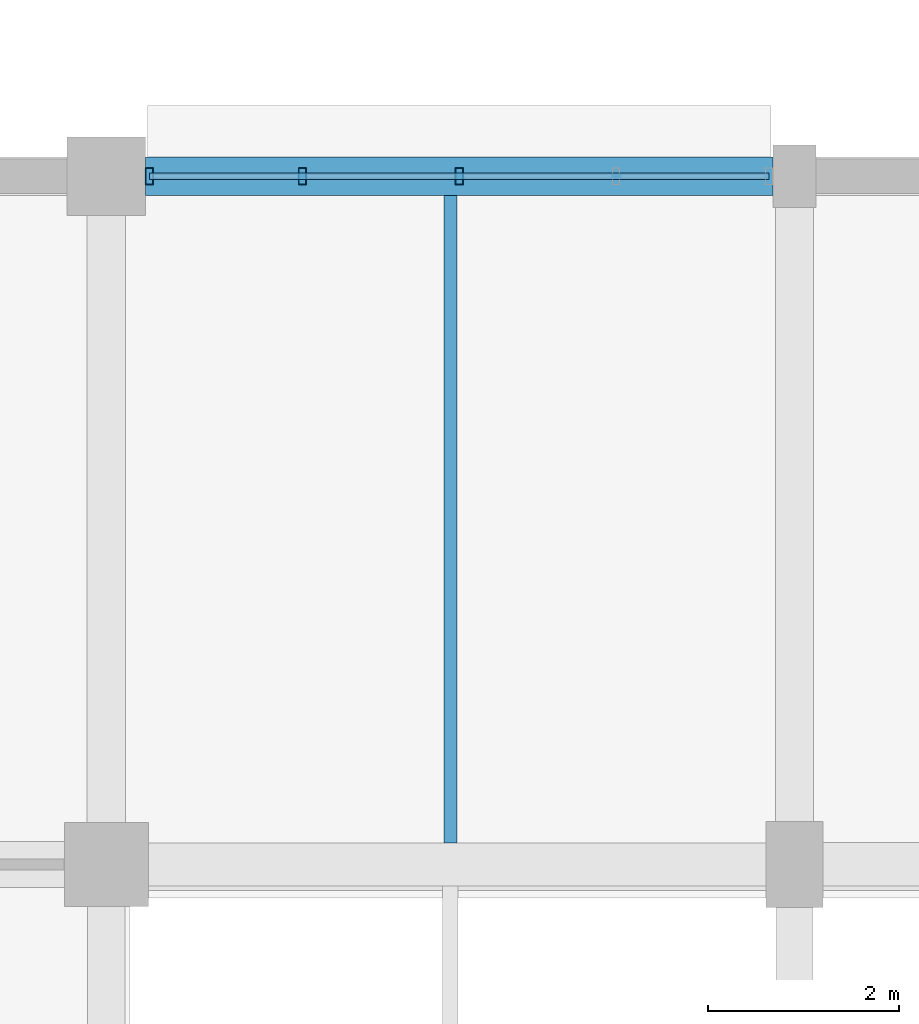
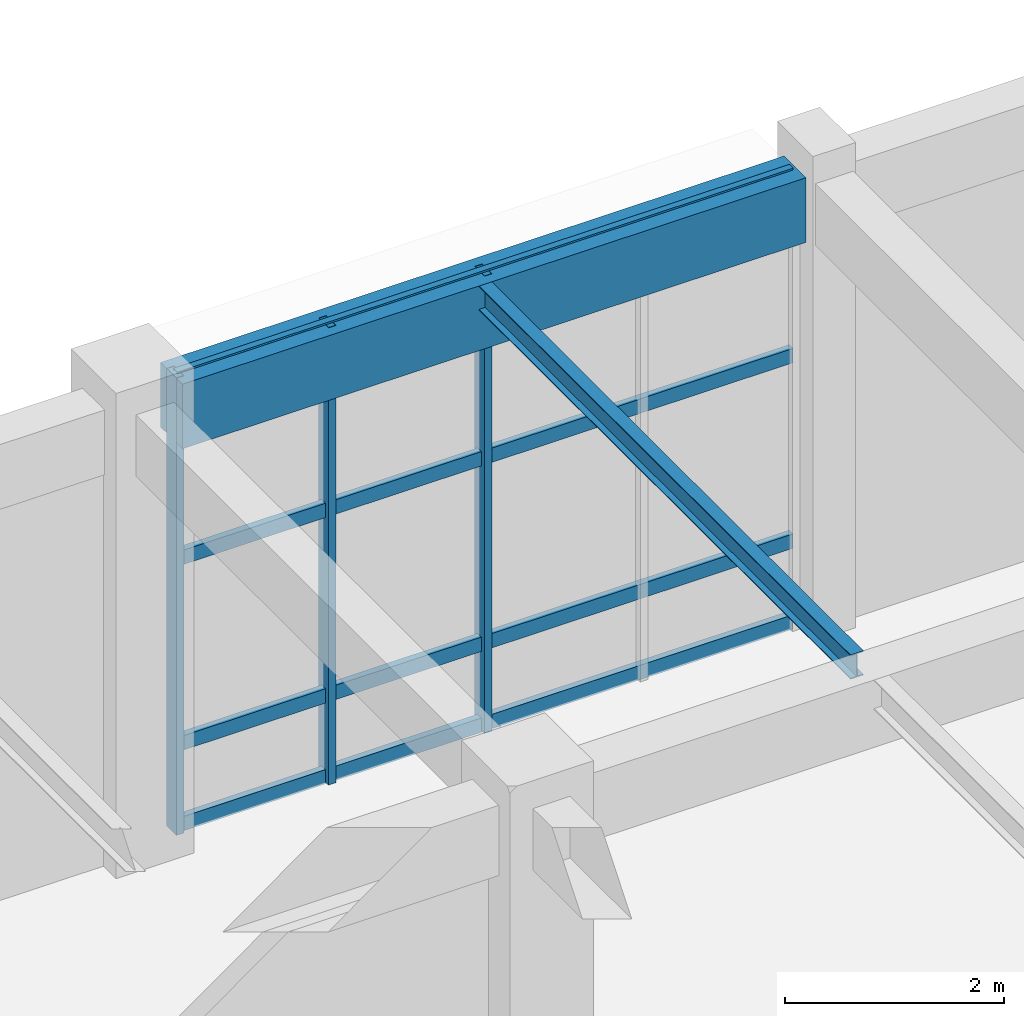
# One storey, part 108 of 160: 7 members, 2 beams, 1 element without a shape of its own.
"""IFC4 building model written with IfcOpenShell, lengths in metres."""

from ifc_helpers import new_model, si_unit, direction, frame, origin, origin_2d, place, context, subcontext, project, spatial, rectangle, hollow_rectangle, i_section, extrude, material, material_profile, profile_set, type_object, element, aggregate, save


model = new_model("IFC4")

# Units and contexts
model_context = context("Model", 3, precision=1e-05, world=origin(), true_north=direction((0.0, 1.0)))
body_context = subcontext(model_context, "Body", "Model", "MODEL_VIEW")
ifc_project = project(units=[si_unit("LENGTHUNIT", "METRE"), si_unit("AREAUNIT", "SQUARE_METRE"), si_unit("VOLUMEUNIT", "CUBIC_METRE"), si_unit("PLANEANGLEUNIT", "RADIAN"), si_unit("MASSUNIT", "GRAM", prefix="KILO")], contexts=[model_context])

# Site, building, storey
site_placement = place(None, origin())
site = spatial("IfcSite", under=ifc_project, at=site_placement, CompositionType="ELEMENT")
building_placement = place(site_placement, origin())
building = spatial("IfcBuilding", under=site, at=building_placement, Name="Thalmaran Polytechnic", CompositionType="ELEMENT")
storey_placement = place(building_placement, origin())
storey = spatial("IfcBuildingStorey", under=building, at=storey_placement, Name="L00", CompositionType="ELEMENT", Elevation=0.0)

# Beams
ifc_material_1 = material(Name="Steel S355", Category="steel")
ifc_material_profile_1 = material_profile(ifc_material_1, i_section(OverallWidth=0.135009765625, OverallDepth=0.27001953125, WebThickness=0.006591796875, FlangeThickness=0.01025390625, at=origin_2d()), Name="IPE 270")
ifc_profile_set_1 = profile_set([ifc_material_profile_1], Name="Steel S355")
beam_type_1 = type_object("IfcBeamType", Name="BM-SJ03", PredefinedType="JOIST", material=ifc_profile_set_1)
beam_1_placement = place(storey_placement, frame((154.800048828125, 115.425048828125, 4.955078125), z_axis=(0.0, 1.0, 0.0), x_axis=(-1.0, 0.0, 0.0)))
element("IfcBeam", 1, at=beam_1_placement, inside=storey, type_object=beam_type_1, Name="Secondary Floor Rib SJ03 L00 (21,16)", PredefinedType="JOIST", context=body_context, shape_type="SweptSolid", body=[
    extrude(i_section(OverallWidth=0.135009765625, OverallDepth=0.27001953125, WebThickness=0.006591796875, FlangeThickness=0.01025390625, at=origin_2d()), origin(), (0.0, 0.0, 1.0), 6.77490234375),
])
ifc_material_2 = material(Name="Concrete C40/50", Category="concrete")
ifc_material_profile_2 = material_profile(ifc_material_2, rectangle(XDim=0.39990234375, YDim=0.719970703125, at=origin_2d()), Name="RC 400x720")
ifc_profile_set_2 = profile_set([ifc_material_profile_2], Name="Concrete C40/50")
beam_type_2 = type_object("IfcBeamType", Name="BM-SP01", PredefinedType="SPANDREL", material=ifc_profile_set_2)
beam_2_placement = place(storey_placement, frame((151.610107421875, 122.39990234375, 4.72998046875), z_axis=(1.0, 0.0, 0.0), x_axis=(0.0, 1.0, 0.0)))
element("IfcBeam", 2, at=beam_2_placement, inside=storey, type_object=beam_type_2, Name="Grid Beam SP01 L00 X(21,17)", PredefinedType="SPANDREL", context=body_context, shape_type="SweptSolid", body=[
    extrude(rectangle(XDim=0.39990234375, YDim=0.719970703125, at=origin_2d()), origin(), (0.0, 0.0, 1.0), 6.56494140625),
])

# Curtain wall, members
ifc_material_3 = material(Name="Aluminium 6063-T6", Category="aluminium")
curtain_wall_type = type_object("IfcCurtainWallType", Name="CW-UC01", PredefinedType="USERDEFINED", material=ifc_material_3)
curtain_wall_placement = place(storey_placement, origin())
curtain_wall = element("IfcCurtainWall", 3, at=curtain_wall_placement, inside=storey, type_object=curtain_wall_type, Name="Curtain Wall CW-L00-012", ObjectType="UNITISED CURTAIN WALL", PredefinedType="USERDEFINED")
ifc_material_profile_3 = material_profile(ifc_material_3, hollow_rectangle(XDim=0.080078125, YDim=0.179931640625, WallThickness=0.0048828125, at=origin_2d()), Name="RHS 180x80x5.0")
ifc_profile_set_3 = profile_set([ifc_material_profile_3], Name="Aluminium 6063-T6")
member_type_1 = type_object("IfcMemberType", Name="CW-MUL1", PredefinedType="MULLION", material=ifc_profile_set_3)
member_1_placement = place(storey_placement, frame((151.64990234375, 122.39990234375, 0.0), z_axis=(0.0, 0.0, 1.0), x_axis=(1.0, 0.0, 0.0)))
member_1 = element("IfcMember", 4, at=member_1_placement, type_object=member_type_1, Name="CW-L00-012 Mullion 1", PredefinedType="MULLION", context=body_context, shape_type="SweptSolid", body=[
    extrude(hollow_rectangle(XDim=0.080078125, YDim=0.179931640625, WallThickness=0.0048828125, at=origin_2d()), origin(), (0.0, 0.0, 1.0), 5.090087890625),
])
member_2_placement = place(storey_placement, frame((153.251220703125, 122.39990234375, 0.0), z_axis=(0.0, 0.0, 1.0), x_axis=(1.0, 0.0, 0.0)))
member_2 = element("IfcMember", 5, at=member_2_placement, type_object=member_type_1, Name="CW-L00-012 Mullion 2", PredefinedType="MULLION", context=body_context, shape_type="SweptSolid", body=[
    extrude(hollow_rectangle(XDim=0.080078125, YDim=0.179931640625, WallThickness=0.0048828125, at=origin_2d()), origin(), (0.0, 0.0, 1.0), 5.090087890625),
])
member_3_placement = place(storey_placement, frame((154.892578125, 122.39990234375, 0.0), z_axis=(0.0, 0.0, 1.0), x_axis=(1.0, 0.0, 0.0)))
member_3 = element("IfcMember", 6, at=member_3_placement, type_object=member_type_1, Name="CW-L00-012 Mullion 3", PredefinedType="MULLION", context=body_context, shape_type="SweptSolid", body=[
    extrude(hollow_rectangle(XDim=0.080078125, YDim=0.179931640625, WallThickness=0.0048828125, at=origin_2d()), origin(), (0.0, 0.0, 1.0), 5.090087890625),
])
ifc_material_profile_4 = material_profile(ifc_material_3, hollow_rectangle(XDim=0.070068359375, YDim=0.159912109375, WallThickness=0.00390625, at=origin_2d()), Name="AL 160x70x4.0")
ifc_profile_set_4 = profile_set([ifc_material_profile_4], Name="Aluminium 6063-T6")
member_type_2 = type_object("IfcMemberType", Name="CW-TRN1", PredefinedType="USERDEFINED", material=ifc_profile_set_4)
member_4_placement = place(storey_placement, frame((151.64990234375, 122.39990234375, 0.06005859375), z_axis=(1.0, 0.0, 0.0), x_axis=(0.0, 1.0, 0.0)))
member_4 = element("IfcMember", 7, at=member_4_placement, type_object=member_type_2, Name="CW-L00-012 Transom 1", ObjectType="TRANSOM", PredefinedType="USERDEFINED", context=body_context, shape_type="SweptSolid", body=[
    extrude(hollow_rectangle(XDim=0.070068359375, YDim=0.159912109375, WallThickness=0.00390625, at=origin_2d()), origin(), (0.0, 0.0, 1.0), 6.485107421875),
])
member_5_placement = place(storey_placement, frame((151.64990234375, 122.39990234375, 0.9599609375), z_axis=(1.0, 0.0, 0.0), x_axis=(0.0, 1.0, 0.0)))
member_5 = element("IfcMember", 8, at=member_5_placement, type_object=member_type_2, Name="CW-L00-012 Transom 2", ObjectType="TRANSOM", PredefinedType="USERDEFINED", context=body_context, shape_type="SweptSolid", body=[
    extrude(hollow_rectangle(XDim=0.070068359375, YDim=0.159912109375, WallThickness=0.00390625, at=origin_2d()), origin(), (0.0, 0.0, 1.0), 6.485107421875),
])
member_6_placement = place(storey_placement, frame((151.64990234375, 122.39990234375, 3.02490234375), z_axis=(1.0, 0.0, 0.0), x_axis=(0.0, 1.0, 0.0)))
member_6 = element("IfcMember", 9, at=member_6_placement, type_object=member_type_2, Name="CW-L00-012 Transom 3", ObjectType="TRANSOM", PredefinedType="USERDEFINED", context=body_context, shape_type="SweptSolid", body=[
    extrude(hollow_rectangle(XDim=0.070068359375, YDim=0.159912109375, WallThickness=0.00390625, at=origin_2d()), origin(), (0.0, 0.0, 1.0), 6.485107421875),
])
member_7_placement = place(storey_placement, frame((151.64990234375, 122.39990234375, 5.030029296875), z_axis=(1.0, 0.0, 0.0), x_axis=(0.0, 1.0, 0.0)))
member_7 = element("IfcMember", 10, at=member_7_placement, type_object=member_type_2, Name="CW-L00-012 Transom 4", ObjectType="TRANSOM", PredefinedType="USERDEFINED", context=body_context, shape_type="SweptSolid", body=[
    extrude(hollow_rectangle(XDim=0.070068359375, YDim=0.159912109375, WallThickness=0.00390625, at=origin_2d()), origin(), (0.0, 0.0, 1.0), 6.485107421875),
])
aggregate(curtain_wall, [member_1, member_2, member_3, member_4, member_5, member_6, member_7])

save(model, "model.ifc")
